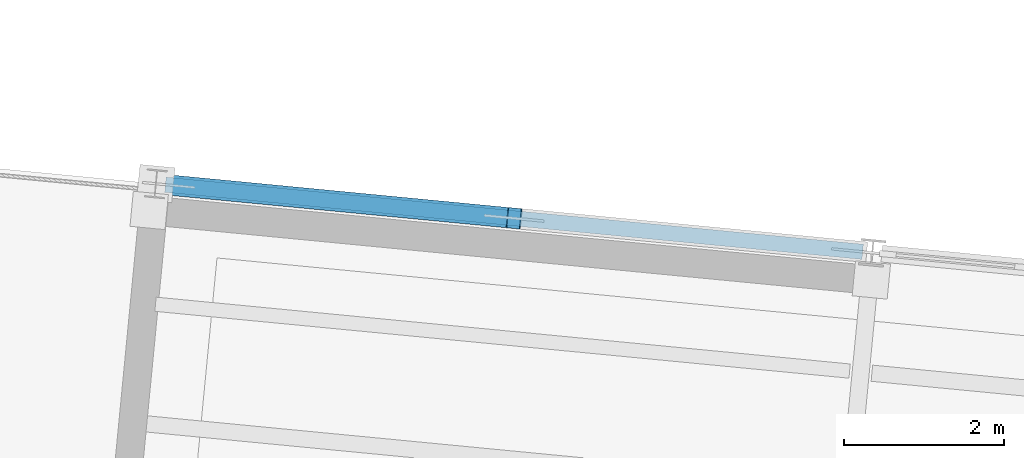
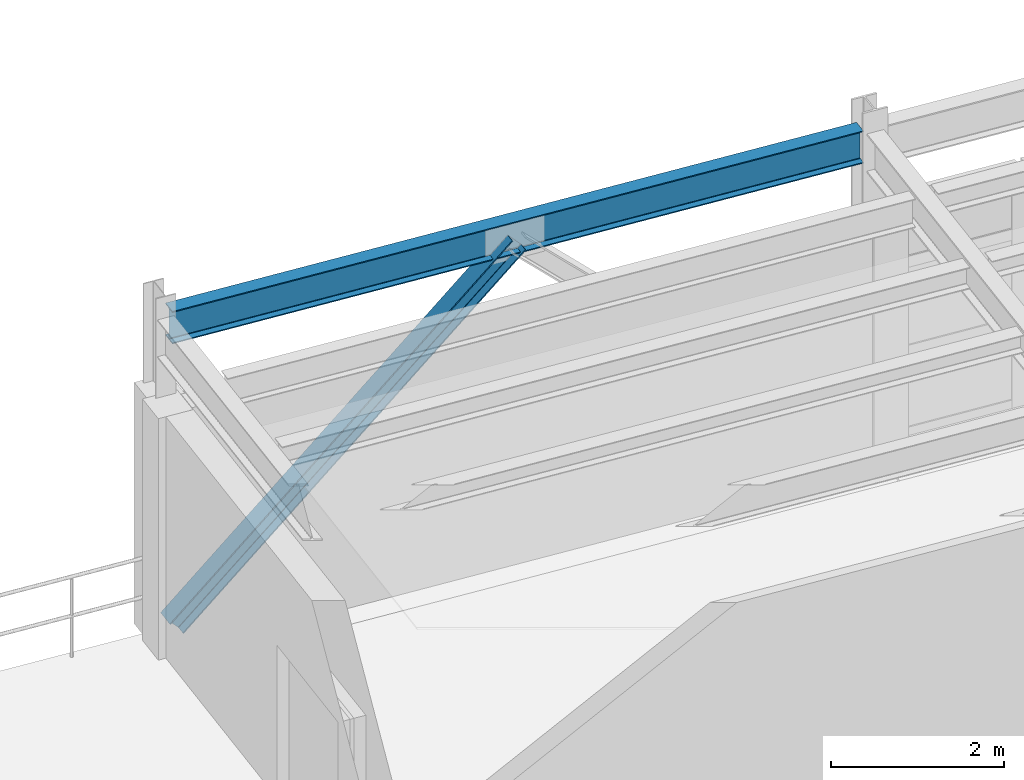
# One storey, part 48 of 102: 1 beam, 1 member.
"""IFC4 building model written with IfcOpenShell, lengths in metres."""

from ifc_helpers import new_model, si_unit, direction, frame, origin, origin_2d, place, context, subcontext, project, spatial, i_section, extrude, material, material_profile, profile_set, type_object, element, save


model = new_model("IFC4")

# Units and contexts
model_context = context("Model", 3, precision=1e-05, world=origin(), true_north=direction((0.0, 1.0)))
body_context = subcontext(model_context, "Body", "Model", "MODEL_VIEW")
ifc_project = project(units=[si_unit("LENGTHUNIT", "METRE"), si_unit("AREAUNIT", "SQUARE_METRE"), si_unit("VOLUMEUNIT", "CUBIC_METRE"), si_unit("PLANEANGLEUNIT", "RADIAN"), si_unit("MASSUNIT", "GRAM", prefix="KILO")], contexts=[model_context])

# Site, building, storey
site_placement = place(None, origin())
site = spatial("IfcSite", under=ifc_project, at=site_placement, CompositionType="ELEMENT")
building_placement = place(site_placement, origin())
building = spatial("IfcBuilding", under=site, at=building_placement, Name="Vireo Bluff Cable Station", CompositionType="ELEMENT")
storey_placement = place(building_placement, frame((0.0, 0.0, 9.60009765625)))
storey = spatial("IfcBuildingStorey", under=building, at=storey_placement, Name="L02", CompositionType="ELEMENT", Elevation=9.60009765625)

# Member
ifc_material = material(Name="Steel ASTM A992 Gr. 50", Category="steel")
ifc_material_profile_1 = material_profile(ifc_material, i_section(OverallWidth=0.2548828125, OverallDepth=0.256103515625, WebThickness=0.009521484375, FlangeThickness=0.015625, FilletRadius=0.009033203125, at=origin_2d()), Name="W10X54")
ifc_profile_set_1 = profile_set([ifc_material_profile_1], Name="Steel ASTM A992 Gr. 50")
member_type = type_object("IfcMemberType", Name="BRC-02", PredefinedType="BRACE", material=ifc_profile_set_1)
member_placement = place(storey_placement, frame((69.62255859375, 84.90576171875, 0.039794921875), z_axis=(0.720243592379, -0.069358297904, 0.690245314471), x_axis=(0.095854965264, 0.995395311238, 0.0)))
element("IfcMember", 1, at=member_placement, inside=storey, type_object=member_type, Name="V3 L02 concentric brace 55L", PredefinedType="BRACE", context=body_context, shape_type="SweptSolid", body=[
    extrude(i_section(OverallWidth=0.2548828125, OverallDepth=0.256103515625, WebThickness=0.009521484375, FlangeThickness=0.015625, FilletRadius=0.009033203125, at=origin_2d()), origin(), (0.0, 0.0, 1.0), 5.998046875),
])

# Beam
ifc_material_profile_2 = material_profile(ifc_material, i_section(OverallWidth=0.19091796875, OverallDepth=0.45703125, WebThickness=0.009033203125, FlangeThickness=0.014404296875, FilletRadius=0.011962890625, at=origin_2d()), Name="W18X50")
ifc_profile_set_2 = profile_set([ifc_material_profile_2], Name="Steel ASTM A992 Gr. 50")
beam_type = type_object("IfcBeamType", Name="SPN-W18X50", PredefinedType="SPANDREL", material=ifc_profile_set_2)
beam_placement = place(storey_placement, frame((69.582763671875, 84.909423828125, 4.271484375), z_axis=(0.995396356957, -0.095844105487, 0.0), x_axis=(0.095844105487, 0.995396356957, 0.0)))
element("IfcBeam", 2, at=beam_placement, inside=storey, type_object=beam_type, Name="V3 L02 spandrel 720", PredefinedType="SPANDREL", context=body_context, shape_type="SweptSolid", body=[
    extrude(i_section(OverallWidth=0.19091796875, OverallDepth=0.45703125, WebThickness=0.009033203125, FlangeThickness=0.014404296875, FilletRadius=0.011962890625, at=origin_2d()), origin(), (0.0, 0.0, 1.0), 8.760009765625),
])

save(model, "model.ifc")
